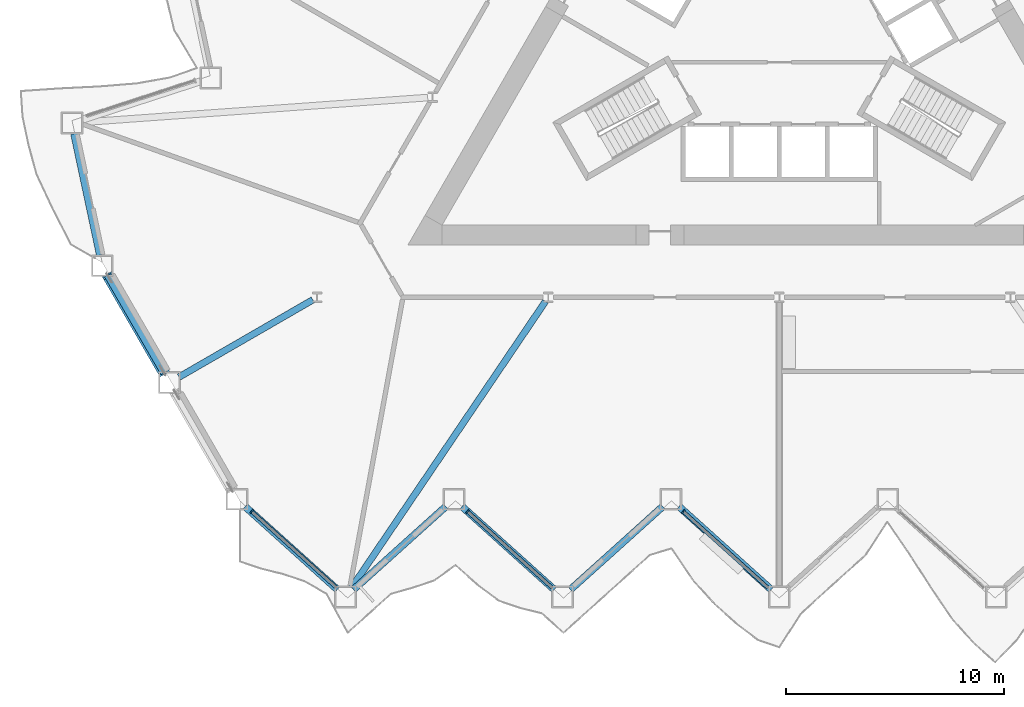
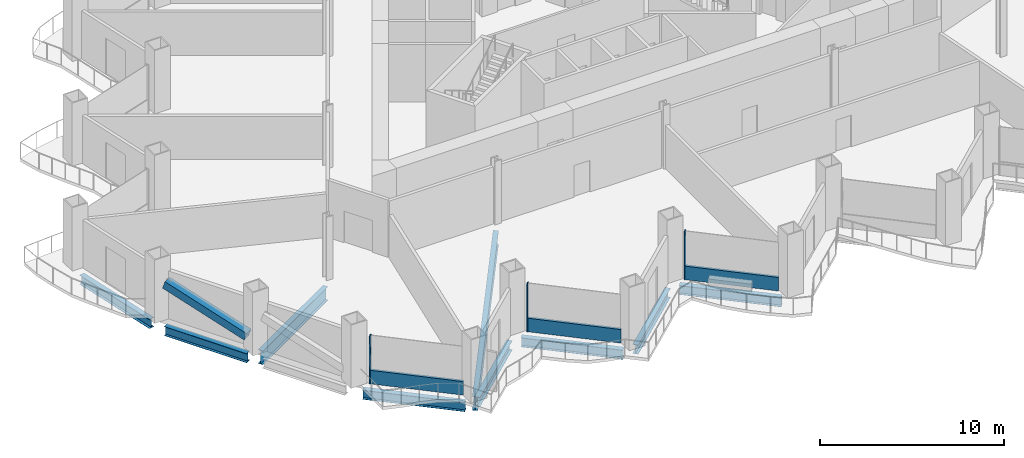
# One storey, part 2 of 21: 9 beams, 7 members, 3 elements without a shape of their own.
"""IFC4 building model written with IfcOpenShell, lengths in metres."""

from ifc_helpers import new_model, si_unit, direction, frame, origin, origin_2d, place, context, subcontext, project, spatial, rectangle, hollow_rectangle, i_section, extrude, material, layer, layer_set, material_profile, profile_set, type_object, element, aggregate, save


model = new_model("IFC4")

# Units and contexts
model_context = context("Model", 3, precision=1e-05, world=origin(), true_north=direction((0.0, 1.0)))
body_context = subcontext(model_context, "Body", "Model", "MODEL_VIEW")
ifc_project = project(units=[si_unit("LENGTHUNIT", "METRE"), si_unit("AREAUNIT", "SQUARE_METRE"), si_unit("VOLUMEUNIT", "CUBIC_METRE"), si_unit("PLANEANGLEUNIT", "RADIAN"), si_unit("MASSUNIT", "GRAM", prefix="KILO")], contexts=[model_context])

# Site, building, storey
site_placement = place(None, origin())
site = spatial("IfcSite", under=ifc_project, at=site_placement, CompositionType="ELEMENT")
building_placement = place(site_placement, origin())
building = spatial("IfcBuilding", under=site, at=building_placement, Name="Cormorant Prow Tower", CompositionType="ELEMENT")
storey_placement = place(building_placement, frame((0.0, 0.0, 76.199951171875)))
storey = spatial("IfcBuildingStorey", under=building, at=storey_placement, Name="L16", CompositionType="ELEMENT", Elevation=76.199951171875)

# Member
ifc_material_1 = material(Name="Structural steel ASTM A500 Gr C", Category="steel")
ifc_material_profile_1 = material_profile(ifc_material_1, hollow_rectangle(XDim=0.508056640625, YDim=0.508056640625, WallThickness=0.014892578125, at=origin_2d()), Name="HSS20x20x5/8")
ifc_profile_set_1 = profile_set([ifc_material_profile_1], Name="Structural steel ASTM A500 Gr C")
member_type_1 = type_object("IfcMemberType", Name="Chamfer brace HSS20x20x5/8", PredefinedType="BRACE", material=ifc_profile_set_1)
member_1_placement = place(storey_placement, frame((-28.174560546875, -15.667724609375, 0.767333984375), z_axis=(-0.475881936113, 0.824270433724, 0.306781086395), x_axis=(-0.866030326616, -0.499991473309, 0.0)))
element("IfcMember", 1, at=member_1_placement, inside=storey, type_object=member_type_1, Name="Chamfer brace BR1 at WSW00 L16", PredefinedType="BRACE", context=body_context, shape_type="SweptSolid", body=[
    extrude(hollow_rectangle(XDim=0.508056640625, YDim=0.508056640625, WallThickness=0.014892578125, at=origin_2d()), origin(), (0.0, 0.0, 1.0), 5.392333984375),
])

# Curtain wall, member
ifc_material_2 = material(Name="Aluminium 6063-T6", Category="aluminium")
ifc_layer = layer(ifc_material_2, 0.199951171875)
ifc_layer_set = layer_set([ifc_layer], Name="Aluminium 6063-T6")
curtain_wall_type = type_object("IfcCurtainWallType", Name="Office unitised curtain wall 200", PredefinedType="NOTDEFINED", material=ifc_layer_set)
curtain_wall_1_placement = place(storey_placement, origin())
curtain_wall_1 = element("IfcCurtainWall", 2, at=curtain_wall_1_placement, inside=storey, type_object=curtain_wall_type, Name="Office curtain wall S00", PredefinedType="NOTDEFINED")
ifc_material_3 = material(Name="Aluminium 6063-T6", Category="aluminium")
ifc_material_profile_2 = material_profile(ifc_material_3, rectangle(XDim=0.199951171875, YDim=0.06005859375, at=origin_2d()), Name="Office mullion 60x200")
ifc_profile_set_2 = profile_set([ifc_material_profile_2], Name="Aluminium 6063-T6")
member_type_2 = type_object("IfcMemberType", Name="Office mullion 60x200", PredefinedType="MULLION", material=ifc_profile_set_2)
member_2_placement = place(storey_placement, frame((-24.157470703125, -22.0244140625, 0.0), z_axis=(0.0, 0.0, 1.0), x_axis=(0.669130618499, 0.743144814546, 0.0)))
member_2 = element("IfcMember", 3, at=member_2_placement, type_object=member_type_2, Name="Office mullion S00", PredefinedType="MULLION", context=body_context, shape_type="SweptSolid", body=[
    extrude(rectangle(XDim=0.199951171875, YDim=0.06005859375, at=origin_2d()), origin(), (0.0, 0.0, 1.0), 3.18896484375),
])

curtain_wall_2_placement = place(storey_placement, origin())
curtain_wall_2 = element("IfcCurtainWall", 4, at=curtain_wall_2_placement, inside=storey, type_object=curtain_wall_type, Name="Office curtain wall S02", PredefinedType="NOTDEFINED")
member_3_placement = place(storey_placement, frame((-14.276611328125, -22.0244140625, 0.0), z_axis=(0.0, 0.0, 1.0), x_axis=(0.669130618499, 0.743144814546, 0.0)))
member_3 = element("IfcMember", 5, at=member_3_placement, type_object=member_type_2, Name="Office mullion S02", PredefinedType="MULLION", context=body_context, shape_type="SweptSolid", body=[
    extrude(rectangle(XDim=0.199951171875, YDim=0.06005859375, at=origin_2d()), origin(), (0.0, 0.0, 1.0), 3.18896484375),
])

curtain_wall_3_placement = place(storey_placement, origin())
curtain_wall_3 = element("IfcCurtainWall", 6, at=curtain_wall_3_placement, inside=storey, type_object=curtain_wall_type, Name="Office curtain wall S04", PredefinedType="NOTDEFINED")
member_4_placement = place(storey_placement, frame((-4.395751953125, -22.0244140625, 0.0), z_axis=(0.0, 0.0, 1.0), x_axis=(0.669130618499, 0.743144814546, 0.0)))
member_4 = element("IfcMember", 7, at=member_4_placement, type_object=member_type_2, Name="Office mullion S04", PredefinedType="MULLION", context=body_context, shape_type="SweptSolid", body=[
    extrude(rectangle(XDim=0.199951171875, YDim=0.06005859375, at=origin_2d()), origin(), (0.0, 0.0, 1.0), 3.18896484375),
])

# Member
ifc_material_4 = material(Name="Terracotta", Category="masonry")
ifc_material_profile_3 = material_profile(ifc_material_4, rectangle(XDim=0.159912109375, YDim=0.89990234375, at=origin_2d()), Name="Office terracotta spandrel rail 160x900")
ifc_profile_set_3 = profile_set([ifc_material_profile_3], Name="Terracotta")
member_type_3 = type_object("IfcMemberType", Name="Office terracotta spandrel rail 160x900", PredefinedType="USERDEFINED", material=ifc_profile_set_3)
member_5_placement = place(storey_placement, frame((-24.13525390625, -22.04443359375, 0.449951171875), z_axis=(0.743144202198, -0.669131298581, 0.0), x_axis=(0.669131298581, 0.743144202198, 0.0)))
member_5 = element("IfcMember", 8, at=member_5_placement, type_object=member_type_3, Name="Office spandrel rail S00", ObjectType="TRANSOM", PredefinedType="USERDEFINED", context=body_context, shape_type="SweptSolid", body=[
    extrude(rectangle(XDim=0.159912109375, YDim=0.89990234375, at=origin_2d()), origin(), (0.0, 0.0, 1.0), 5.18212890625),
])

aggregate(curtain_wall_1, [member_2, member_5])

member_6_placement = place(storey_placement, frame((-14.25439453125, -22.04443359375, 0.449951171875), z_axis=(0.743144202198, -0.669131298581, 0.0), x_axis=(0.669131298581, 0.743144202198, 0.0)))
member_6 = element("IfcMember", 9, at=member_6_placement, type_object=member_type_3, Name="Office spandrel rail S02", ObjectType="TRANSOM", PredefinedType="USERDEFINED", context=body_context, shape_type="SweptSolid", body=[
    extrude(rectangle(XDim=0.159912109375, YDim=0.89990234375, at=origin_2d()), origin(), (0.0, 0.0, 1.0), 5.18212890625),
])

aggregate(curtain_wall_2, [member_3, member_6])

member_7_placement = place(storey_placement, frame((-4.37353515625, -22.04443359375, 0.449951171875), z_axis=(0.743144202198, -0.669131298581, 0.0), x_axis=(0.669131298581, 0.743144202198, 0.0)))
member_7 = element("IfcMember", 10, at=member_7_placement, type_object=member_type_3, Name="Office spandrel rail S04", ObjectType="TRANSOM", PredefinedType="USERDEFINED", context=body_context, shape_type="SweptSolid", body=[
    extrude(rectangle(XDim=0.159912109375, YDim=0.89990234375, at=origin_2d()), origin(), (0.0, 0.0, 1.0), 5.18212890625),
])

aggregate(curtain_wall_3, [member_4, member_7])

# Beams
ifc_material_5 = material(Name="Structural steel ASTM A992 Gr 50", Category="steel")
ifc_material_profile_4 = material_profile(ifc_material_5, i_section(OverallWidth=0.3046875, OverallDepth=0.914794921875, WebThickness=0.0166015625, FlangeThickness=0.02587890625, at=origin_2d()), Name="W36x160")
ifc_profile_set_4 = profile_set([ifc_material_profile_4], Name="Structural steel ASTM A992 Gr 50")
beam_type_1 = type_object("IfcBeamType", Name="Radial floor beam W36x160", PredefinedType="BEAM", material=ifc_profile_set_4)
beam_1_placement = place(storey_placement, frame((-21.358154296875, -12.3310546875, -0.857421875), z_axis=(-0.866014253463, -0.500019312426, 0.0), x_axis=(0.500019312426, -0.866014253463, 0.0)))
element("IfcBeam", 11, at=beam_1_placement, inside=storey, type_object=beam_type_1, Name="Radial floor beam FB1 5 L16", PredefinedType="BEAM", context=body_context, shape_type="SweptSolid", body=[
    extrude(i_section(OverallWidth=0.3046875, OverallDepth=0.914794921875, WebThickness=0.0166015625, FlangeThickness=0.02587890625, at=origin_2d()), origin(), (0.0, 0.0, 1.0), 7.071533203125),
])
beam_2_placement = place(storey_placement, frame((-10.708740234375, -12.4072265625, -0.857421875), z_axis=(-0.560597160775, -0.828088656685, 0.0), x_axis=(0.828088656685, -0.560597160775, 0.0)))
element("IfcBeam", 12, at=beam_2_placement, inside=storey, type_object=beam_type_1, Name="Radial floor beam FB1 6 L16", PredefinedType="BEAM", context=body_context, shape_type="SweptSolid", body=[
    extrude(i_section(OverallWidth=0.3046875, OverallDepth=0.914794921875, WebThickness=0.0166015625, FlangeThickness=0.02587890625, at=origin_2d()), origin(), (0.0, 0.0, 1.0), 15.831787109375),
])
ifc_material_6 = material(Name="Structural steel ASTM A992 Gr 50", Category="steel")
ifc_material_profile_5 = material_profile(ifc_material_6, i_section(OverallWidth=0.32373046875, OverallDepth=0.611083984375, WebThickness=0.0126953125, FlangeThickness=0.01904296875, at=origin_2d()), Name="W24x104")
ifc_profile_set_5 = profile_set([ifc_material_profile_5], Name="Structural steel ASTM A992 Gr 50")
beam_type_2 = type_object("IfcBeamType", Name="Spandrel beam W24x104", PredefinedType="SPANDREL", material=ifc_profile_set_5)
for number, where, z_axis, x_axis, name in (
    (13, (-24.458740234375, -21.79443359375, -0.70556640625), (0.743129630386, -0.669147481833, 0.0), (0.669147481833, 0.743129630386, 0.0), "Spandrel beam SB1 S00-S01 L16"),
    (14, (-19.49267578125, -25.596923828125, -0.70556640625), (0.743129630386, 0.669147481833, 0.0), (-0.669147481833, 0.743129630386, 0.0), "Spandrel beam SB1 S01-S02 L16"),
    (15, (-14.526611328125, -21.79443359375, -0.70556640625), (0.743129630386, -0.669147481833, 0.0), (0.669147481833, 0.743129630386, 0.0), "Spandrel beam SB1 S02-S03 L16"),
    (16, (-9.560546875, -25.596923828125, -0.70556640625), (0.743129630386, 0.669147481833, 0.0), (-0.669147481833, 0.743129630386, 0.0), "Spandrel beam SB1 S03-S04 L16"),
    (17, (-4.594482421875, -21.79443359375, -0.70556640625), (0.743129630386, -0.669147481833, 0.0), (0.669147481833, 0.743129630386, 0.0), "Spandrel beam SB1 S04-S05 L16"),
    (18, (-32.285400390625, -4.726318359375, -0.70556640625), (0.207900376723, -0.97815000555, 0.0), (0.97815000555, 0.207900376723, 0.0), "Spandrel beam SB1 WNW09-WSW00 L16"),
):
    element("IfcBeam", number, at=place(storey_placement, frame(where, z_axis=z_axis, x_axis=x_axis)), inside=storey, type_object=beam_type_2, Name=name, PredefinedType="SPANDREL", context=body_context, shape_type="SweptSolid", body=[
        extrude(i_section(OverallWidth=0.32373046875, OverallDepth=0.611083984375, WebThickness=0.0126953125, FlangeThickness=0.01904296875, at=origin_2d()), origin(), (0.0, 0.0, 1.0), 5.6826171875),
    ])
beam_3_placement = place(storey_placement, frame((-30.75, -11.206787109375, -0.70556640625), z_axis=(0.49998408811, -0.866034590324, 0.0), x_axis=(0.866034590324, 0.49998408811, 0.0)))
element("IfcBeam", 19, at=beam_3_placement, inside=storey, type_object=beam_type_2, Name="Spandrel beam SB1 WSW00-WSW01 L16", PredefinedType="SPANDREL", context=body_context, shape_type="SweptSolid", body=[
    extrude(i_section(OverallWidth=0.32373046875, OverallDepth=0.611083984375, WebThickness=0.0126953125, FlangeThickness=0.01904296875, at=origin_2d()), origin(), (0.0, 0.0, 1.0), 5.169677734375),
])

save(model, "model.ifc")
